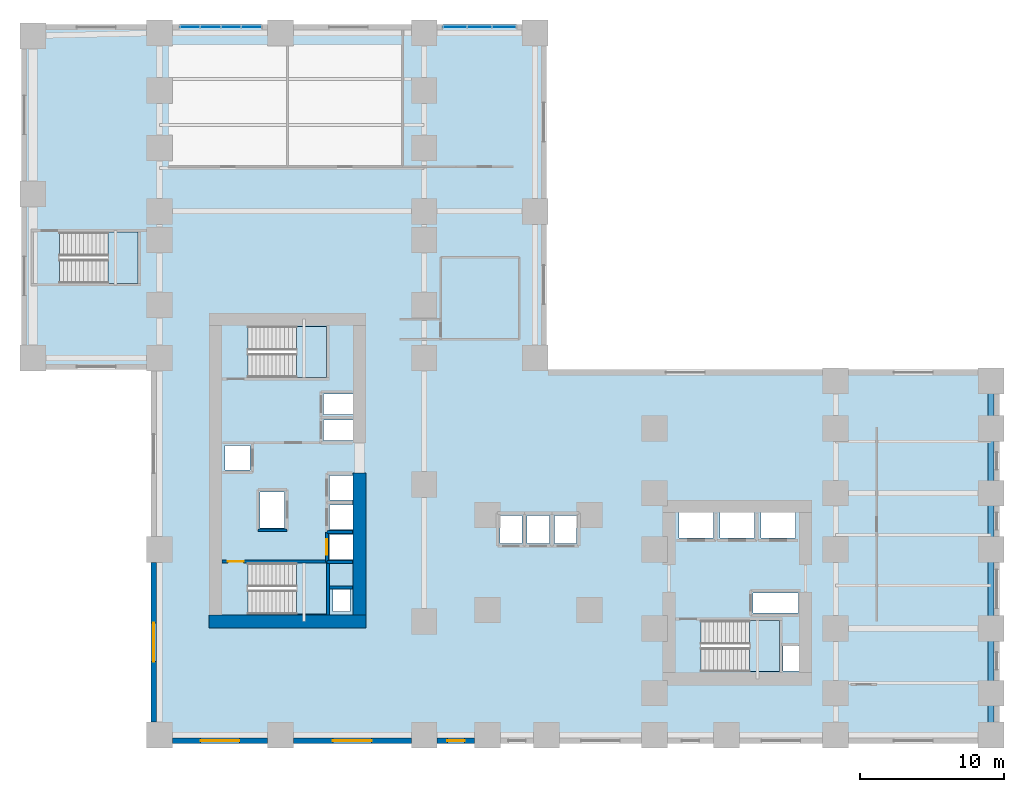
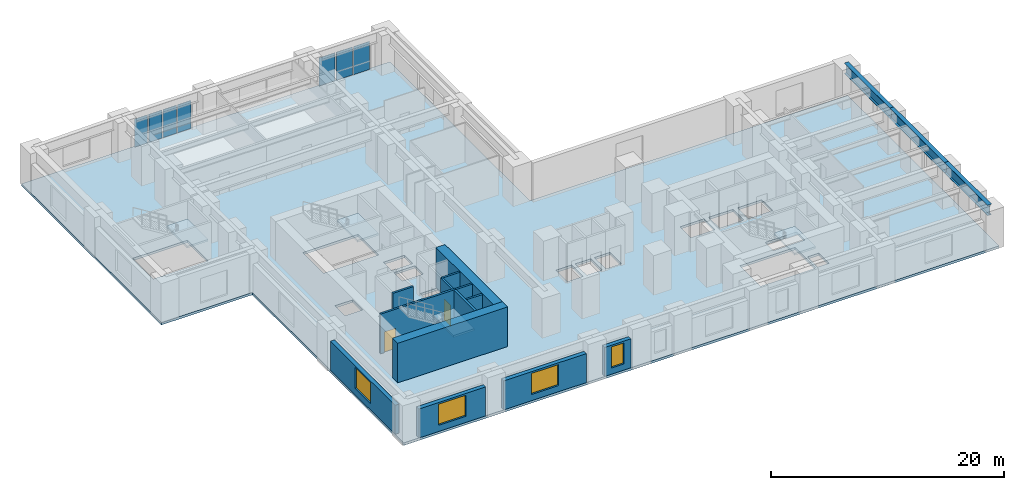
# One storey, part 4 of 11: 13 walls, 7 plates, 5 slabs, 4 windows, 3 beams, 2 doors, 6 openings, 6 elements without a shape of their own.
"""IFC4 building model written with IfcOpenShell, lengths in metres."""

from ifc_helpers import new_model, si_unit, direction, frame, frame_2d, origin, origin_2d, place, context, subcontext, project, spatial, polyline, rectangle, i_section, outline, extrude, source, transform, mapped, material, layer, layer_set, material_profile, profile_set, type_object, element, fill, aggregate, save


model = new_model("IFC4")

# Units and contexts
model_context = context("Model", 3, precision=1e-05, world=origin(), true_north=direction((0.0, 1.0)))
body_context = subcontext(model_context, "Body", "Model", "MODEL_VIEW")
ifc_project = project(units=[si_unit("LENGTHUNIT", "METRE"), si_unit("AREAUNIT", "SQUARE_METRE"), si_unit("VOLUMEUNIT", "CUBIC_METRE"), si_unit("PLANEANGLEUNIT", "RADIAN"), si_unit("MASSUNIT", "GRAM", prefix="KILO")], contexts=[model_context])

# Site, building, storey
site_placement = place(None, origin())
site = spatial("IfcSite", under=ifc_project, at=site_placement, CompositionType="ELEMENT")
building_placement = place(site_placement, origin())
building = spatial("IfcBuilding", under=site, at=building_placement, Name="Kharzan Plaza Tower", CompositionType="ELEMENT")
storey_placement = place(building_placement, frame((0.0, 0.0, 13.5)))
storey = spatial("IfcBuildingStorey", under=building, at=storey_placement, Name="L03", CompositionType="ELEMENT", Elevation=13.5)

# Beams
ifc_material_1 = material(Name="Steel S355", Category="steel")
ifc_material_profile = material_profile(ifc_material_1, i_section(OverallWidth=0.39990234375, OverallDepth=1.10009765625, WebThickness=0.02001953125, FlangeThickness=0.035888671875, at=origin_2d()), Name="W1100x390")
ifc_profile_set = profile_set([ifc_material_profile], Name="Steel S355")
beam_type = type_object("IfcBeamType", Name="BM-PG1100B", PredefinedType="BEAM", material=ifc_profile_set)
shared_shape_1 = source(origin(), body_context, "Body", "SweptSolid", [
    extrude(i_section(OverallWidth=0.39990234375, OverallDepth=1.10009765625, WebThickness=0.02001953125, FlangeThickness=0.035888671875, at=origin_2d()), origin(), (0.0, 0.0, 1.0), 7.39990234375),
])
beam_1_placement = place(storey_placement, frame((58.39990234375, 0.60009765625, 3.60009765625), z_axis=(0.0, 1.0, 0.0), x_axis=(-1.0, 0.0, 0.0)))
element("IfcBeam", 1, at=beam_1_placement, inside=storey, type_object=beam_type, Name="L03 Podium Primary Girder PG-25", PredefinedType="BEAM", context=body_context, shape_type="MappedRepresentation", body=[
    mapped(shared_shape_1, transform((0.0, 0.0, 0.0), x_axis=(1.0, 0.0, 0.0), y_axis=(0.0, 1.0, 0.0), z_axis=(0.0, 0.0, 1.0))),
])
shared_shape_2 = source(origin(), body_context, "Body", "SweptSolid", [
    extrude(i_section(OverallWidth=0.39990234375, OverallDepth=1.10009765625, WebThickness=0.02001953125, FlangeThickness=0.035888671875, at=origin_2d()), origin(), (0.0, 0.0, 1.0), 9.39990234375),
])
beam_2_placement = place(storey_placement, frame((58.39990234375, 8.0, 3.60009765625), z_axis=(0.0, 1.0, 0.0), x_axis=(-1.0, 0.0, 0.0)))
element("IfcBeam", 2, at=beam_2_placement, inside=storey, type_object=beam_type, Name="L03 Podium Primary Girder PG-26", PredefinedType="BEAM", context=body_context, shape_type="MappedRepresentation", body=[
    mapped(shared_shape_2, transform((0.0, 0.0, 0.0), x_axis=(1.0, 0.0, 0.0), y_axis=(0.0, 1.0, 0.0), z_axis=(0.0, 0.0, 1.0))),
])
shared_shape_3 = source(origin(), body_context, "Body", "SweptSolid", [
    extrude(i_section(OverallWidth=0.39990234375, OverallDepth=1.10009765625, WebThickness=0.02001953125, FlangeThickness=0.035888671875, at=origin_2d()), origin(), (0.0, 0.0, 1.0), 7.800048828125),
])
beam_3_placement = place(storey_placement, frame((58.39990234375, 17.39990234375, 3.60009765625), z_axis=(0.0, 1.0, 0.0), x_axis=(-1.0, 0.0, 0.0)))
element("IfcBeam", 3, at=beam_3_placement, inside=storey, type_object=beam_type, Name="L03 Podium Primary Girder PG-27", PredefinedType="BEAM", context=body_context, shape_type="MappedRepresentation", body=[
    mapped(shared_shape_3, transform((0.0, 0.0, 0.0), x_axis=(1.0, 0.0, 0.0), y_axis=(0.0, 1.0, 0.0), z_axis=(0.0, 0.0, 1.0))),
])

# Slab
ifc_material_2 = material(Name="Concrete C40/50", Category="concrete")
ifc_layer_1 = layer(ifc_material_2, 0.25)
ifc_layer_set_1 = layer_set([ifc_layer_1], Name="Concrete C40/50")
slab_type_1 = type_object("IfcSlabType", Name="SL-FLOOR-250", PredefinedType="FLOOR", material=ifc_layer_set_1)
slab_1_placement = place(storey_placement, frame((0.0, 0.0, -0.25)))
element("IfcSlab", 4, at=slab_1_placement, inside=storey, type_object=slab_type_1, Name="L03 Composite Structural Floor Slab 250 mm", PredefinedType="FLOOR", context=body_context, shape_type="SweptSolid", body=[
    extrude(outline(polyline([(59.0, 0.0), (59.0, 26.0), (27.5, 26.0), (27.5, 50.0), (-9.0, 50.0), (-9.0, 26.0), (0.0, 26.0), (0.0, 0.0), (59.0, 0.0)]), holes=[polyline([(12.199951171875, 9.0), (12.199951171875, 12.550048828125), (6.75, 12.550048828125), (6.75, 9.0), (12.199951171875, 9.0)]), polyline([(14.10009765625, 12.800048828125), (14.10009765625, 14.530029296875), (12.39990234375, 14.530029296875), (12.39990234375, 12.800048828125), (14.10009765625, 12.800048828125)]), polyline([(14.10009765625, 14.8701171875), (14.10009765625, 16.60009765625), (12.39990234375, 16.60009765625), (12.39990234375, 14.8701171875), (14.10009765625, 14.8701171875)]), polyline([(7.60009765625, 15.0), (9.300048828125, 15.0), (9.300048828125, 17.5), (7.60009765625, 17.5), (7.60009765625, 15.0)]), polyline([(12.39990234375, 16.93994140625), (14.10009765625, 16.93994140625), (14.10009765625, 18.64990234375), (12.39990234375, 18.64990234375), (12.39990234375, 16.93994140625)]), polyline([(6.89990234375, 19.010009765625), (6.89990234375, 20.72998046875), (5.14990234375, 20.72998046875), (5.14990234375, 19.010009765625), (6.89990234375, 19.010009765625)]), polyline([(14.10009765625, 21.070068359375), (14.10009765625, 22.489990234375), (12.0, 22.489990234375), (12.0, 21.070068359375), (14.10009765625, 21.070068359375)]), polyline([(14.10009765625, 22.8701171875), (14.10009765625, 24.2900390625), (12.0, 24.2900390625), (12.0, 22.8701171875), (14.10009765625, 22.8701171875)]), polyline([(6.75, 25.449951171875), (12.199951171875, 25.449951171875), (12.199951171875, 29.0), (6.75, 29.0), (6.75, 25.449951171875)]), polyline([(-6.35009765625, 32.0), (-0.89990234375, 32.0), (-0.89990234375, 35.550048828125), (-6.35009765625, 35.550048828125), (-6.35009765625, 32.0)]), polyline([(45.050048828125, 5.050048828125), (45.050048828125, 6.800048828125), (43.949951171875, 6.800048828125), (43.949951171875, 5.050048828125), (45.050048828125, 5.050048828125)]), polyline([(43.699951171875, 5.0), (43.699951171875, 8.550048828125), (38.25, 8.550048828125), (38.25, 5.0), (43.699951171875, 5.0)]), polyline([(45.0, 9.070068359375), (45.0, 10.469970703125), (41.85009765625, 10.469970703125), (41.85009765625, 9.070068359375), (45.0, 9.070068359375)]), polyline([(12.64990234375, 9.199951171875), (13.85009765625, 9.199951171875), (13.85009765625, 10.699951171875), (12.64990234375, 10.699951171875), (12.64990234375, 9.199951171875)]), polyline([(24.25, 13.89990234375), (25.800048828125, 13.89990234375), (25.800048828125, 15.85009765625), (24.25, 15.85009765625), (24.25, 13.89990234375)]), polyline([(27.699951171875, 13.89990234375), (27.699951171875, 15.85009765625), (26.14990234375, 15.85009765625), (26.14990234375, 13.89990234375), (27.699951171875, 13.89990234375)]), polyline([(29.60009765625, 13.89990234375), (29.60009765625, 15.85009765625), (28.050048828125, 15.85009765625), (28.050048828125, 13.89990234375), (29.60009765625, 13.89990234375)]), polyline([(39.10009765625, 14.300048828125), (39.10009765625, 16.14990234375), (36.699951171875, 16.14990234375), (36.699951171875, 14.300048828125), (39.10009765625, 14.300048828125)]), polyline([(39.550048828125, 14.300048828125), (41.949951171875, 14.300048828125), (41.949951171875, 16.14990234375), (39.550048828125, 16.14990234375), (39.550048828125, 14.300048828125)]), polyline([(42.39990234375, 14.300048828125), (44.800048828125, 14.300048828125), (44.800048828125, 16.14990234375), (42.39990234375, 16.14990234375), (42.39990234375, 14.300048828125)])]), origin(), (0.0, 0.0, 1.0), 0.25),
])

# Stair, slab
stair_type_1 = type_object("IfcStairType", Name="STR-ST-1", PredefinedType="HALF_TURN_STAIR", material=ifc_material_2)
stair_1_placement = place(storey_placement, origin())
stair_1 = element("IfcStair", 5, at=stair_1_placement, inside=storey, type_object=stair_type_1, Name="L03 Protected Exit Stair ST-1", PredefinedType="HALF_TURN_STAIR")
ifc_layer_2 = layer(ifc_material_2, 0.219970703125)
ifc_layer_set_2 = layer_set([ifc_layer_2], Name="Concrete C40/50")
slab_type_2 = type_object("IfcSlabType", Name="SL-LANDING-220", PredefinedType="LANDING", material=ifc_layer_set_2)
slab_2_placement = place(storey_placement, frame((0.0, 0.0, 2.050048828125)))
slab_2 = element("IfcSlab", 6, at=slab_2_placement, type_object=slab_type_2, Name="ST-1 landing 1", PredefinedType="LANDING", context=body_context, shape_type="SweptSolid", body=[
    extrude(outline(polyline([(10.110107421875, 9.0), (12.199951171875, 9.0), (12.199951171875, 12.550048828125), (10.110107421875, 12.550048828125), (10.110107421875, 9.0)])), origin(), (0.0, 0.0, 1.0), 0.199951171875),
])
aggregate(stair_1, [slab_2])

stair_type_2 = type_object("IfcStairType", Name="STR-ST-2", PredefinedType="HALF_TURN_STAIR", material=ifc_material_2)
stair_2_placement = place(storey_placement, origin())
stair_2 = element("IfcStair", 7, at=stair_2_placement, inside=storey, type_object=stair_type_2, Name="L03 Protected Exit Stair ST-2", PredefinedType="HALF_TURN_STAIR")
slab_3_placement = place(storey_placement, frame((0.0, 0.0, 2.050048828125)))
slab_3 = element("IfcSlab", 8, at=slab_3_placement, type_object=slab_type_2, Name="ST-2 landing 1", PredefinedType="LANDING", context=body_context, shape_type="SweptSolid", body=[
    extrude(outline(polyline([(10.110107421875, 25.449951171875), (12.199951171875, 25.449951171875), (12.199951171875, 29.0), (10.110107421875, 29.0), (10.110107421875, 25.449951171875)])), origin(), (0.0, 0.0, 1.0), 0.199951171875),
])
aggregate(stair_2, [slab_3])

stair_type_3 = type_object("IfcStairType", Name="STR-ST-3", PredefinedType="HALF_TURN_STAIR", material=ifc_material_2)
stair_3_placement = place(storey_placement, origin())
stair_3 = element("IfcStair", 9, at=stair_3_placement, inside=storey, type_object=stair_type_3, Name="L03 Protected Exit Stair ST-3", PredefinedType="HALF_TURN_STAIR")
slab_4_placement = place(storey_placement, frame((0.0, 0.0, 2.050048828125)))
slab_4 = element("IfcSlab", 10, at=slab_4_placement, type_object=slab_type_2, Name="ST-3 landing 1", PredefinedType="LANDING", context=body_context, shape_type="SweptSolid", body=[
    extrude(outline(polyline([(41.610107421875, 5.0), (43.699951171875, 5.0), (43.699951171875, 8.550048828125), (41.610107421875, 8.550048828125), (41.610107421875, 5.0)])), origin(), (0.0, 0.0, 1.0), 0.199951171875),
])
aggregate(stair_3, [slab_4])

stair_type_4 = type_object("IfcStairType", Name="STR-ST-4", PredefinedType="HALF_TURN_STAIR", material=ifc_material_2)
stair_4_placement = place(storey_placement, origin())
stair_4 = element("IfcStair", 11, at=stair_4_placement, inside=storey, type_object=stair_type_4, Name="L03 Podium Exit Stair ST-4", PredefinedType="HALF_TURN_STAIR")
slab_5_placement = place(storey_placement, frame((0.0, 0.0, 2.050048828125)))
slab_5 = element("IfcSlab", 12, at=slab_5_placement, type_object=slab_type_2, Name="ST-4 landing 1", PredefinedType="LANDING", context=body_context, shape_type="SweptSolid", body=[
    extrude(outline(polyline([(-2.989990234375, 32.0), (-0.89990234375, 32.0), (-0.89990234375, 35.550048828125), (-2.989990234375, 35.550048828125), (-2.989990234375, 32.0)])), origin(), (0.0, 0.0, 1.0), 0.199951171875),
])
aggregate(stair_4, [slab_5])

# Curtain wall, plates
ifc_material_3 = material(Name="Unitised Bronze-Anodized Aluminium and Low-E Glass", Category="aluminium")
ifc_layer_3 = layer(ifc_material_3, 0.199951171875)
ifc_layer_set_3 = layer_set([ifc_layer_3], Name="Unitised Bronze-Anodized Aluminium and Low-E Glass")
curtain_wall_type = type_object("IfcCurtainWallType", Name="CW-PODIUM-1", PredefinedType="NOTDEFINED", material=ifc_layer_set_3)
curtain_wall_1_placement = place(storey_placement, origin())
curtain_wall_1 = element("IfcCurtainWall", 13, at=curtain_wall_1_placement, inside=storey, type_object=curtain_wall_type, Name="L03 Podium North Gallery Curtain Wall", PredefinedType="NOTDEFINED")
ifc_material_4 = material(Name="Dark Solar-Control Double Glazing", Category="glass")
ifc_layer_4 = layer(ifc_material_4, 0.031982421875)
ifc_layer_set_4 = layer_set([ifc_layer_4], Name="Dark Solar-Control Double Glazing")
plate_type = type_object("IfcPlateType", Name="PLT-CW-GLASS", PredefinedType="CURTAIN_PANEL", material=ifc_layer_set_4)
shared_shape_4 = source(origin(), body_context, "Body", "SweptSolid", [
    extrude(rectangle(XDim=1.580078125, YDim=0.031982421875, at=origin_2d()), origin(), (0.0, 0.0, 1.0), 2.93994140625),
])
plate_1_placement = place(storey_placement, frame((21.14990234375, 49.800048828125, 0.080078125), z_axis=(0.0, 0.0, 1.0), x_axis=(1.0, 0.0, 0.0)))
plate_1 = element("IfcPlate", 14, at=plate_1_placement, type_object=plate_type, Name="L03 Curtain-Wall Glazed Panel 00", PredefinedType="CURTAIN_PANEL", context=body_context, shape_type="MappedRepresentation", body=[
    mapped(shared_shape_4, transform((0.0, 0.0, 0.0), x_axis=(1.0, 0.0, 0.0), y_axis=(0.0, 1.0, 0.0), z_axis=(0.0, 0.0, 1.0))),
])
plate_2_placement = place(storey_placement, frame((22.85009765625, 49.800048828125, 0.080078125), z_axis=(0.0, 0.0, 1.0), x_axis=(1.0, 0.0, 0.0)))
plate_2 = element("IfcPlate", 15, at=plate_2_placement, type_object=plate_type, Name="L03 Curtain-Wall Glazed Panel 01", PredefinedType="CURTAIN_PANEL", context=body_context, shape_type="MappedRepresentation", body=[
    mapped(shared_shape_4, transform((0.0, 0.0, 0.0), x_axis=(1.0, 0.0, 0.0), y_axis=(0.0, 1.0, 0.0), z_axis=(0.0, 0.0, 1.0))),
])
plate_3_placement = place(storey_placement, frame((24.550048828125, 49.800048828125, 0.080078125), z_axis=(0.0, 0.0, 1.0), x_axis=(1.0, 0.0, 0.0)))
plate_3 = element("IfcPlate", 16, at=plate_3_placement, type_object=plate_type, Name="L03 Curtain-Wall Glazed Panel 02", PredefinedType="CURTAIN_PANEL", context=body_context, shape_type="MappedRepresentation", body=[
    mapped(shared_shape_4, transform((0.0, 0.0, 0.0), x_axis=(1.0, 0.0, 0.0), y_axis=(0.0, 1.0, 0.0), z_axis=(0.0, 0.0, 1.0))),
])
aggregate(curtain_wall_1, [plate_1, plate_2, plate_3])

curtain_wall_2_placement = place(storey_placement, origin())
curtain_wall_2 = element("IfcCurtainWall", 17, at=curtain_wall_2_placement, inside=storey, type_object=curtain_wall_type, Name="L03 Podium West Gallery Curtain Wall", PredefinedType="NOTDEFINED")
shared_shape_5 = source(origin(), body_context, "Body", "SweptSolid", [
    extrude(rectangle(XDim=1.304931640625, YDim=0.031982421875, at=origin_2d()), origin(), (0.0, 0.0, 1.0), 2.93994140625),
])
plate_4_placement = place(storey_placement, frame((2.71240234375, 49.800048828125, 0.080078125), z_axis=(0.0, 0.0, 1.0), x_axis=(1.0, 0.0, 0.0)))
plate_4 = element("IfcPlate", 18, at=plate_4_placement, type_object=plate_type, Name="L03 Curtain-Wall Glazed Panel 00", PredefinedType="CURTAIN_PANEL", context=body_context, shape_type="MappedRepresentation", body=[
    mapped(shared_shape_5, transform((0.0, 0.0, 0.0), x_axis=(1.0, 0.0, 0.0), y_axis=(0.0, 1.0, 0.0), z_axis=(0.0, 0.0, 1.0))),
])
plate_5_placement = place(storey_placement, frame((4.137451171875, 49.800048828125, 0.080078125), z_axis=(0.0, 0.0, 1.0), x_axis=(1.0, 0.0, 0.0)))
plate_5 = element("IfcPlate", 19, at=plate_5_placement, type_object=plate_type, Name="L03 Curtain-Wall Glazed Panel 01", PredefinedType="CURTAIN_PANEL", context=body_context, shape_type="MappedRepresentation", body=[
    mapped(shared_shape_5, transform((0.0, 0.0, 0.0), x_axis=(1.0, 0.0, 0.0), y_axis=(0.0, 1.0, 0.0), z_axis=(0.0, 0.0, 1.0))),
])
plate_6_placement = place(storey_placement, frame((5.5625, 49.800048828125, 0.080078125), z_axis=(0.0, 0.0, 1.0), x_axis=(1.0, 0.0, 0.0)))
plate_6 = element("IfcPlate", 20, at=plate_6_placement, type_object=plate_type, Name="L03 Curtain-Wall Glazed Panel 02", PredefinedType="CURTAIN_PANEL", context=body_context, shape_type="MappedRepresentation", body=[
    mapped(shared_shape_5, transform((0.0, 0.0, 0.0), x_axis=(1.0, 0.0, 0.0), y_axis=(0.0, 1.0, 0.0), z_axis=(0.0, 0.0, 1.0))),
])
plate_7_placement = place(storey_placement, frame((6.987548828125, 49.800048828125, 0.080078125), z_axis=(0.0, 0.0, 1.0), x_axis=(1.0, 0.0, 0.0)))
plate_7 = element("IfcPlate", 21, at=plate_7_placement, type_object=plate_type, Name="L03 Curtain-Wall Glazed Panel 03", PredefinedType="CURTAIN_PANEL", context=body_context, shape_type="MappedRepresentation", body=[
    mapped(shared_shape_5, transform((0.0, 0.0, 0.0), x_axis=(1.0, 0.0, 0.0), y_axis=(0.0, 1.0, 0.0), z_axis=(0.0, 0.0, 1.0))),
])
aggregate(curtain_wall_2, [plate_4, plate_5, plate_6, plate_7])

# Wall, opening, door
ifc_layer_5 = layer(ifc_material_2, 0.199951171875)
ifc_layer_set_5 = layer_set([ifc_layer_5], Name="Concrete C40/50")
wall_type_1 = type_object("IfcWallType", Name="WL-INT-SHAFT-200", PredefinedType="PARTITIONING", material=ifc_layer_set_5)
wall_1_placement = place(storey_placement, frame((12.22998046875, 12.6298828125, 0.0), z_axis=(0.0, 0.0, 1.0), x_axis=(0.0, 1.0, 0.0)))
wall_1 = element("IfcWall", 22, at=wall_1_placement, inside=storey, type_object=wall_type_1, Name="L03 Interior Partition SHF-PL-H1-W", PredefinedType="PARTITIONING", context=body_context, shape_type="SweptSolid", body=[
    extrude(rectangle(XDim=2.070068359375, YDim=0.199951171875, at=frame_2d((1.03515625, 0.0))), origin(), (0.0, 0.0, 1.0), 4.135009765625),
])
opening_1_placement = place(wall_1_placement, frame((0.485107421875, 0.0, 0.0)))
opening_1 = element("IfcOpeningElement", 23, at=opening_1_placement, cuts=wall_1, Name="Opening LD", PredefinedType="OPENING", context=body_context, shape_type="SweptSolid", body=[
    extrude(rectangle(XDim=1.10009765625, YDim=2.199951171875, at=frame_2d((0.550048828125, 1.10009765625))), frame((0.0, 0.10986328125, 0.0), z_axis=(0.0, -1.0, 0.0), x_axis=(1.0, 0.0, 0.0)), (0.0, 0.0, 1.0), 0.219970703125),
])
ifc_material_5 = material(Name="Brushed Stainless Steel", Category="steel")
door_type_1 = type_object("IfcDoorType", Name="DR-LIFT-SLIDE", OperationType="SLIDING_TO_LEFT", PredefinedType="DOOR", material=ifc_material_5)
shared_shape_6 = source(origin(), body_context, "Body", "SweptSolid", [
    extrude(rectangle(XDim=1.10009765625, YDim=2.199951171875, at=frame_2d((0.550048828125, 1.10009765625))), frame((0.0, 0.02490234375, 0.0), z_axis=(0.0, -1.0, 0.0), x_axis=(1.0, 0.0, 0.0)), (0.0, 0.0, 1.0), 0.050048828125),
])
door_1_placement = place(opening_1_placement, origin())
door_1 = element("IfcDoor", 24, at=door_1_placement, inside=storey, type_object=door_type_1, Name="L03 High-Rise Passenger Lift PL-H1 Sliding Landing Door", OperationType="SLIDING_TO_LEFT", OverallHeight=2.199951171875, OverallWidth=1.10009765625, PredefinedType="DOOR", context=body_context, shape_type="MappedRepresentation", body=[
    mapped(shared_shape_6, transform((0.0, 0.0, 0.0), x_axis=(1.0, 0.0, 0.0), y_axis=(0.0, 1.0, 0.0), z_axis=(0.0, 0.0, 1.0))),
])
fill(opening_1, door_1)

# Wall, opening, window
ifc_layer_6 = layer(ifc_material_2, 0.39990234375)
ifc_layer_set_6 = layer_set([ifc_layer_6], Name="Concrete C40/50")
wall_type_2 = type_object("IfcWallType", Name="WL-POD-MAS-400", PredefinedType="SOLIDWALL", material=ifc_layer_set_6)
wall_2_placement = place(storey_placement, frame((0.199951171875, 12.60205078125, 0.0), z_axis=(0.0, 0.0, 1.0), x_axis=(0.0, -1.0, 0.0)))
wall_2 = element("IfcWall", 25, at=wall_2_placement, inside=storey, type_object=wall_type_2, Name="L03 Masonry-Frame Exterior Wall 15", PredefinedType="SOLIDWALL", context=body_context, shape_type="SweptSolid", body=[
    extrude(rectangle(XDim=11.10400390625, YDim=0.39990234375, at=frame_2d((5.552001953125, 0.0))), origin(), (0.0, 0.0, 1.0), 3.034912109375),
])
opening_2_placement = place(wall_2_placement, frame((4.201904296875, 0.0, 0.64990234375)))
opening_2 = element("IfcOpeningElement", 26, at=opening_2_placement, cuts=wall_2, Name="Opening W4", PredefinedType="OPENING", context=body_context, shape_type="SweptSolid", body=[
    extrude(rectangle(XDim=2.699951171875, YDim=2.205078125, at=frame_2d((1.35009765625, 1.1025390625))), frame((0.0, 0.2099609375, 0.0), z_axis=(0.0, -1.0, 0.0), x_axis=(1.0, 0.0, 0.0)), (0.0, 0.0, 1.0), 0.419921875),
])
ifc_material_6 = material(Name="Low-E Double Glazing", Category="glass")
window_type_1 = type_object("IfcWindowType", Name="WN-POD-2700x2600", PartitioningType="SINGLE_PANEL", PredefinedType="WINDOW", material=ifc_material_6)
shared_shape_7 = source(origin(), body_context, "Body", "SweptSolid", [
    extrude(rectangle(XDim=2.699951171875, YDim=2.205078125, at=frame_2d((1.35009765625, 1.1025390625))), frame((0.0, 0.030029296875, 0.0), z_axis=(0.0, -1.0, 0.0), x_axis=(1.0, 0.0, 0.0)), (0.0, 0.0, 1.0), 0.06005859375),
])
window_1_placement = place(opening_2_placement, origin())
window_1 = element("IfcWindow", 27, at=window_1_placement, inside=storey, type_object=window_type_1, Name="L03 Recessed Solar-Control Window 15-1", OverallHeight=2.205078125, OverallWidth=2.699951171875, PartitioningType="SINGLE_PANEL", PredefinedType="WINDOW", context=body_context, shape_type="MappedRepresentation", body=[
    mapped(shared_shape_7, transform((0.0, 0.0, 0.0), x_axis=(1.0, 0.0, 0.0), y_axis=(0.0, 1.0, 0.0), z_axis=(0.0, 0.0, 1.0))),
])
fill(opening_2, window_1)

wall_3_placement = place(storey_placement, frame((1.498046875, 0.199951171875, 0.0), z_axis=(0.0, 0.0, 1.0), x_axis=(1.0, 0.0, 0.0)))
wall_3 = element("IfcWall", 28, at=wall_3_placement, inside=storey, type_object=wall_type_2, Name="L03 Masonry-Frame Exterior Wall 16", PredefinedType="SOLIDWALL", context=body_context, shape_type="SweptSolid", body=[
    extrude(rectangle(XDim=6.60400390625, YDim=0.39990234375, at=frame_2d((3.302001953125, 0.0))), origin(), (0.0, 0.0, 1.0), 3.034912109375),
])
opening_3_placement = place(wall_3_placement, frame((1.951904296875, 0.0, 0.64990234375)))
opening_3 = element("IfcOpeningElement", 29, at=opening_3_placement, cuts=wall_3, Name="Opening W4", PredefinedType="OPENING", context=body_context, shape_type="SweptSolid", body=[
    extrude(rectangle(XDim=2.699951171875, YDim=2.205078125, at=frame_2d((1.35009765625, 1.1025390625))), frame((0.0, 0.2099609375, 0.0), z_axis=(0.0, -1.0, 0.0), x_axis=(1.0, 0.0, 0.0)), (0.0, 0.0, 1.0), 0.419921875),
])
window_2_placement = place(opening_3_placement, origin())
window_2 = element("IfcWindow", 30, at=window_2_placement, inside=storey, type_object=window_type_1, Name="L03 Recessed Solar-Control Window 16-1", OverallHeight=2.205078125, OverallWidth=2.699951171875, PartitioningType="SINGLE_PANEL", PredefinedType="WINDOW", context=body_context, shape_type="MappedRepresentation", body=[
    mapped(shared_shape_7, transform((0.0, 0.0, 0.0), x_axis=(1.0, 0.0, 0.0), y_axis=(0.0, 1.0, 0.0), z_axis=(0.0, 0.0, 1.0))),
])
fill(opening_3, window_2)

wall_4_placement = place(storey_placement, frame((9.89794921875, 0.199951171875, 0.0), z_axis=(0.0, 0.0, 1.0), x_axis=(1.0, 0.0, 0.0)))
wall_4 = element("IfcWall", 31, at=wall_4_placement, inside=storey, type_object=wall_type_2, Name="L03 Masonry-Frame Exterior Wall 17", PredefinedType="SOLIDWALL", context=body_context, shape_type="SweptSolid", body=[
    extrude(rectangle(XDim=8.2041015625, YDim=0.39990234375, at=frame_2d((4.10205078125, 0.0))), origin(), (0.0, 0.0, 1.0), 3.034912109375),
])
opening_4_placement = place(wall_4_placement, frame((2.751953125, 0.0, 0.64990234375)))
opening_4 = element("IfcOpeningElement", 32, at=opening_4_placement, cuts=wall_4, Name="Opening W4", PredefinedType="OPENING", context=body_context, shape_type="SweptSolid", body=[
    extrude(rectangle(XDim=2.699951171875, YDim=2.205078125, at=frame_2d((1.35009765625, 1.1025390625))), frame((0.0, 0.2099609375, 0.0), z_axis=(0.0, -1.0, 0.0), x_axis=(1.0, 0.0, 0.0)), (0.0, 0.0, 1.0), 0.419921875),
])
window_3_placement = place(opening_4_placement, origin())
window_3 = element("IfcWindow", 33, at=window_3_placement, inside=storey, type_object=window_type_1, Name="L03 Recessed Solar-Control Window 17-1", OverallHeight=2.205078125, OverallWidth=2.699951171875, PartitioningType="SINGLE_PANEL", PredefinedType="WINDOW", context=body_context, shape_type="MappedRepresentation", body=[
    mapped(shared_shape_7, transform((0.0, 0.0, 0.0), x_axis=(1.0, 0.0, 0.0), y_axis=(0.0, 1.0, 0.0), z_axis=(0.0, 0.0, 1.0))),
])
fill(opening_4, window_3)

wall_5_placement = place(storey_placement, frame((19.89794921875, 0.199951171875, 0.0), z_axis=(0.0, 0.0, 1.0), x_axis=(1.0, 0.0, 0.0)))
wall_5 = element("IfcWall", 34, at=wall_5_placement, inside=storey, type_object=wall_type_2, Name="L03 Masonry-Frame Exterior Wall 18", PredefinedType="SOLIDWALL", context=body_context, shape_type="SweptSolid", body=[
    extrude(rectangle(XDim=2.60400390625, YDim=0.39990234375, at=frame_2d((1.302001953125, 0.0))), origin(), (0.0, 0.0, 1.0), 3.034912109375),
])
opening_5_placement = place(wall_5_placement, frame((0.701904296875, 0.0, 0.64990234375)))
opening_5 = element("IfcOpeningElement", 35, at=opening_5_placement, cuts=wall_5, Name="Opening W3", PredefinedType="OPENING", context=body_context, shape_type="SweptSolid", body=[
    extrude(rectangle(XDim=1.199951171875, YDim=2.205078125, at=frame_2d((0.60009765625, 1.1025390625))), frame((0.0, 0.2099609375, 0.0), z_axis=(0.0, -1.0, 0.0), x_axis=(1.0, 0.0, 0.0)), (0.0, 0.0, 1.0), 0.419921875),
])
window_type_2 = type_object("IfcWindowType", Name="WN-REC-1200x2100", PartitioningType="SINGLE_PANEL", PredefinedType="WINDOW", material=ifc_material_6)
shared_shape_8 = source(origin(), body_context, "Body", "SweptSolid", [
    extrude(rectangle(XDim=1.199951171875, YDim=2.205078125, at=frame_2d((0.60009765625, 1.1025390625))), frame((0.0, 0.030029296875, 0.0), z_axis=(0.0, -1.0, 0.0), x_axis=(1.0, 0.0, 0.0)), (0.0, 0.0, 1.0), 0.06005859375),
])
window_4_placement = place(opening_5_placement, origin())
window_4 = element("IfcWindow", 36, at=window_4_placement, inside=storey, type_object=window_type_2, Name="L03 Recessed Solar-Control Window 18-1", OverallHeight=2.205078125, OverallWidth=1.199951171875, PartitioningType="SINGLE_PANEL", PredefinedType="WINDOW", context=body_context, shape_type="MappedRepresentation", body=[
    mapped(shared_shape_8, transform((0.0, 0.0, 0.0), x_axis=(1.0, 0.0, 0.0), y_axis=(0.0, 1.0, 0.0), z_axis=(0.0, 0.0, 1.0))),
])
fill(opening_5, window_4)

# Wall, opening, door
ifc_material_7 = material(Name="Concrete C50/60", Category="concrete")
ifc_layer_7 = layer(ifc_material_7, 0.199951171875)
ifc_layer_set_7 = layer_set([ifc_layer_7], Name="Concrete C50/60")
wall_type_3 = type_object("IfcWallType", Name="WL-SHAFT-RC200", PredefinedType="SHEAR", material=ifc_layer_set_7)
wall_6_placement = place(storey_placement, frame((4.951904296875, 12.655029296875, 0.0), z_axis=(0.0, 0.0, 1.0), x_axis=(1.0, 0.0, 0.0)))
wall_6 = element("IfcWall", 37, at=wall_6_placement, inside=storey, type_object=wall_type_3, Name="L03 Stair ST-1 North RC Shaft Wall", PredefinedType="SHEAR", context=body_context, shape_type="SweptSolid", body=[
    extrude(rectangle(XDim=7.453125, YDim=0.199951171875, at=frame_2d((3.7265625, 0.0))), origin(), (0.0, 0.0, 1.0), 4.14990234375),
])
opening_6_placement = place(wall_6_placement, frame((0.39990234375, 0.0, 0.0)))
opening_6 = element("IfcOpeningElement", 38, at=opening_6_placement, cuts=wall_6, Name="Opening SD1", PredefinedType="OPENING", context=body_context, shape_type="SweptSolid", body=[
    extrude(rectangle(XDim=1.10009765625, YDim=2.14990234375, at=frame_2d((0.550048828125, 1.074951171875))), frame((0.0, 0.10986328125, 0.0), z_axis=(0.0, -1.0, 0.0), x_axis=(1.0, 0.0, 0.0)), (0.0, 0.0, 1.0), 0.219970703125),
])
ifc_material_8 = material(Name="Fire-Rated Hollow Galvanized Steel", Category="steel")
door_type_2 = type_object("IfcDoorType", Name="DR-STAIR-FD120", OperationType="NOTDEFINED", PredefinedType="DOOR", material=ifc_material_8)
shared_shape_9 = source(origin(), body_context, "Body", "SweptSolid", [
    extrude(rectangle(XDim=1.10009765625, YDim=2.14990234375, at=frame_2d((0.550048828125, 1.074951171875))), frame((0.0, 0.02490234375, 0.0), z_axis=(0.0, -1.0, 0.0), x_axis=(1.0, 0.0, 0.0)), (0.0, 0.0, 1.0), 0.050048828125),
])
door_2_placement = place(opening_6_placement, origin())
door_2 = element("IfcDoor", 39, at=door_2_placement, inside=storey, type_object=door_type_2, Name="L03 Stair ST-1 Fire Exit Door", OperationType="SINGLE_SWING_RIGHT", OverallHeight=2.14990234375, OverallWidth=1.10009765625, PredefinedType="DOOR", context=body_context, shape_type="MappedRepresentation", body=[
    mapped(shared_shape_9, transform((0.0, 0.0, 0.0), x_axis=(1.0, 0.0, 0.0), y_axis=(0.0, 1.0, 0.0), z_axis=(0.0, 0.0, 1.0))),
])
fill(opening_6, door_2)

# Walls
ifc_material_9 = material(Name="Concrete C60/75", Category="concrete")
ifc_layer_8 = layer(ifc_material_9, 0.89990234375)
ifc_layer_set_8 = layer_set([ifc_layer_8], Name="Concrete C60/75")
wall_type_4 = type_object("IfcWallType", Name="WL-CORE-900", PredefinedType="SHEAR", material=ifc_layer_set_8)
shared_shape_10 = source(origin(), body_context, "Body", "SweptSolid", [
    extrude(rectangle(XDim=9.8701171875, YDim=0.89990234375, at=frame_2d((4.93505859375, 0.0))), origin(), (0.0, 0.0, 1.0), 4.14990234375),
])
wall_7_placement = place(storey_placement, frame((14.5, 8.949951171875, 0.0), z_axis=(0.0, 0.0, 1.0), x_axis=(0.0, 1.0, 0.0)))
element("IfcWall", 40, at=wall_7_placement, inside=storey, type_object=wall_type_4, Name="L03 CORE-A east shear pier 1", PredefinedType="SHEAR", context=body_context, shape_type="MappedRepresentation", body=[
    mapped(shared_shape_10, transform((0.0, 0.0, 0.0), x_axis=(1.0, 0.0, 0.0), y_axis=(0.0, 1.0, 0.0), z_axis=(0.0, 0.0, 1.0))),
])
shared_shape_11 = source(origin(), body_context, "Body", "SweptSolid", [
    extrude(rectangle(XDim=10.89990234375, YDim=0.89990234375, at=frame_2d((5.449951171875, 0.0))), origin(), (0.0, 0.0, 1.0), 4.14990234375),
])
wall_8_placement = place(storey_placement, frame((4.050048828125, 8.5, 0.0), z_axis=(0.0, 0.0, 1.0), x_axis=(1.0, 0.0, 0.0)))
element("IfcWall", 41, at=wall_8_placement, inside=storey, type_object=wall_type_4, Name="L03 CORE-A south RC shear wall", PredefinedType="SHEAR", context=body_context, shape_type="MappedRepresentation", body=[
    mapped(shared_shape_11, transform((0.0, 0.0, 0.0), x_axis=(1.0, 0.0, 0.0), y_axis=(0.0, 1.0, 0.0), z_axis=(0.0, 0.0, 1.0))),
])
shared_shape_12 = source(origin(), body_context, "Body", "SweptSolid", [
    extrude(rectangle(XDim=1.60009765625, YDim=0.199951171875, at=frame_2d((0.800048828125, 0.0))), origin(), (0.0, 0.0, 1.0), 4.135009765625),
])
wall_9_placement = place(storey_placement, frame((12.419921875, 10.85009765625, 0.0), z_axis=(0.0, 0.0, 1.0), x_axis=(1.0, 0.0, 0.0)))
element("IfcWall", 42, at=wall_9_placement, inside=storey, type_object=wall_type_1, Name="L03 Interior Partition CA-RSRA-N", PredefinedType="PARTITIONING", context=body_context, shape_type="MappedRepresentation", body=[
    mapped(shared_shape_12, transform((0.0, 0.0, 0.0), x_axis=(1.0, 0.0, 0.0), y_axis=(0.0, 1.0, 0.0), z_axis=(0.0, 0.0, 1.0))),
])
shared_shape_13 = source(origin(), body_context, "Body", "SweptSolid", [
    extrude(rectangle(XDim=1.7900390625, YDim=0.199951171875, at=frame_2d((0.89501953125, 0.0))), origin(), (0.0, 0.0, 1.0), 4.135009765625),
])
for number, where, z_axis, x_axis, name in (
    (43, (12.22998046875, 14.699951171875, 0.0), (0.0, 0.0, 1.0), (1.0, 0.0, 0.0), "L03 Interior Partition SHF-PL-H1-N"),
    (44, (12.22998046875, 12.6298828125, 0.0), (0.0, 0.0, 1.0), (1.0, 0.0, 0.0), "L03 Interior Partition SHF-PL-H1-S"),
):
    element("IfcWall", number, at=place(storey_placement, frame(where, z_axis=z_axis, x_axis=x_axis)), inside=storey, type_object=wall_type_1, Name=name, PredefinedType="PARTITIONING", context=body_context, shape_type="MappedRepresentation", body=[
        mapped(shared_shape_13, transform((0.0, 0.0, 0.0), x_axis=(1.0, 0.0, 0.0), y_axis=(0.0, 1.0, 0.0), z_axis=(0.0, 0.0, 1.0))),
    ])
shared_shape_14 = source(origin(), body_context, "Body", "SweptSolid", [
    extrude(rectangle(XDim=2.0400390625, YDim=0.199951171875, at=frame_2d((1.02001953125, 0.0))), origin(), (0.0, 0.0, 1.0), 4.135009765625),
])
wall_10_placement = place(storey_placement, frame((7.429931640625, 14.830078125, 0.0), z_axis=(0.0, 0.0, 1.0), x_axis=(1.0, 0.0, 0.0)))
element("IfcWall", 45, at=wall_10_placement, inside=storey, type_object=wall_type_1, Name="L03 Interior Partition SHF-SVL-1-S", PredefinedType="PARTITIONING", context=body_context, shape_type="MappedRepresentation", body=[
    mapped(shared_shape_14, transform((0.0, 0.0, 0.0), x_axis=(1.0, 0.0, 0.0), y_axis=(0.0, 1.0, 0.0), z_axis=(0.0, 0.0, 1.0))),
])
shared_shape_15 = source(origin(), body_context, "Body", "SweptSolid", [
    extrude(rectangle(XDim=3.60302734375, YDim=0.199951171875, at=frame_2d((1.801513671875, 0.0))), origin(), (0.0, 0.0, 1.0), 4.14990234375),
])
wall_11_placement = place(storey_placement, frame((12.304931640625, 8.951904296875, 0.0), z_axis=(0.0, 0.0, 1.0), x_axis=(0.0, 1.0, 0.0)))
element("IfcWall", 46, at=wall_11_placement, inside=storey, type_object=wall_type_3, Name="L03 Stair ST-1 East RC Shaft Wall", PredefinedType="SHEAR", context=body_context, shape_type="MappedRepresentation", body=[
    mapped(shared_shape_15, transform((0.0, 0.0, 0.0), x_axis=(1.0, 0.0, 0.0), y_axis=(0.0, 1.0, 0.0), z_axis=(0.0, 0.0, 1.0))),
])

save(model, "model.ifc")
